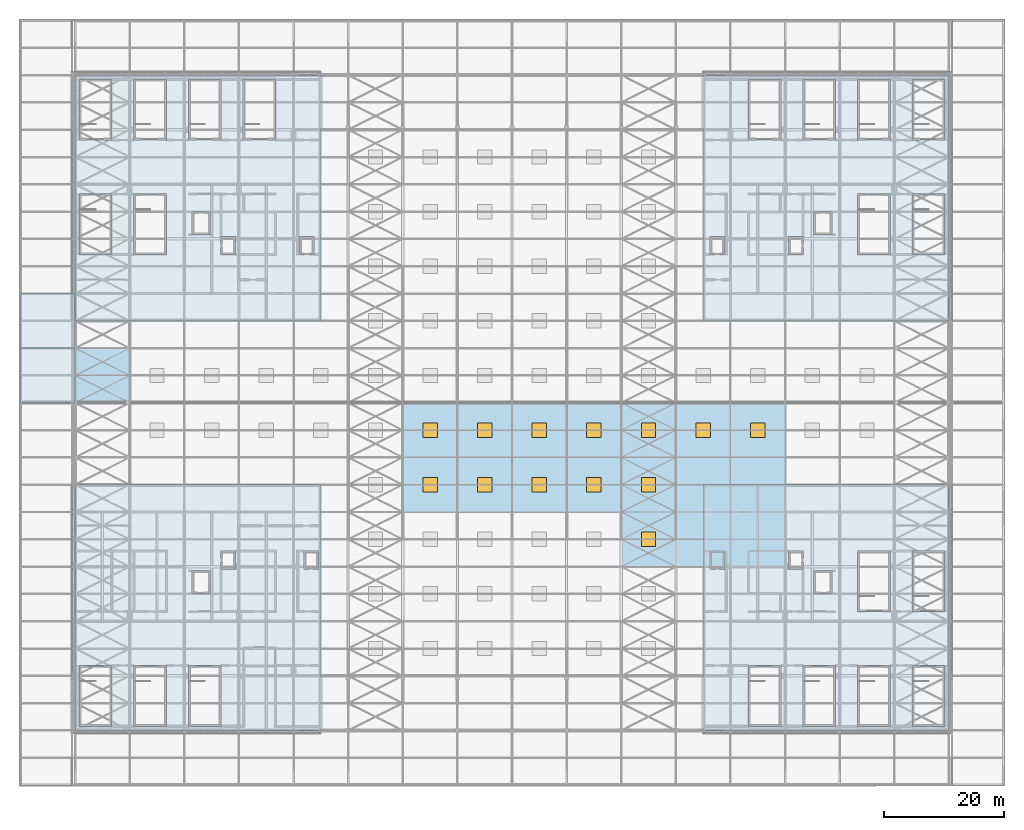
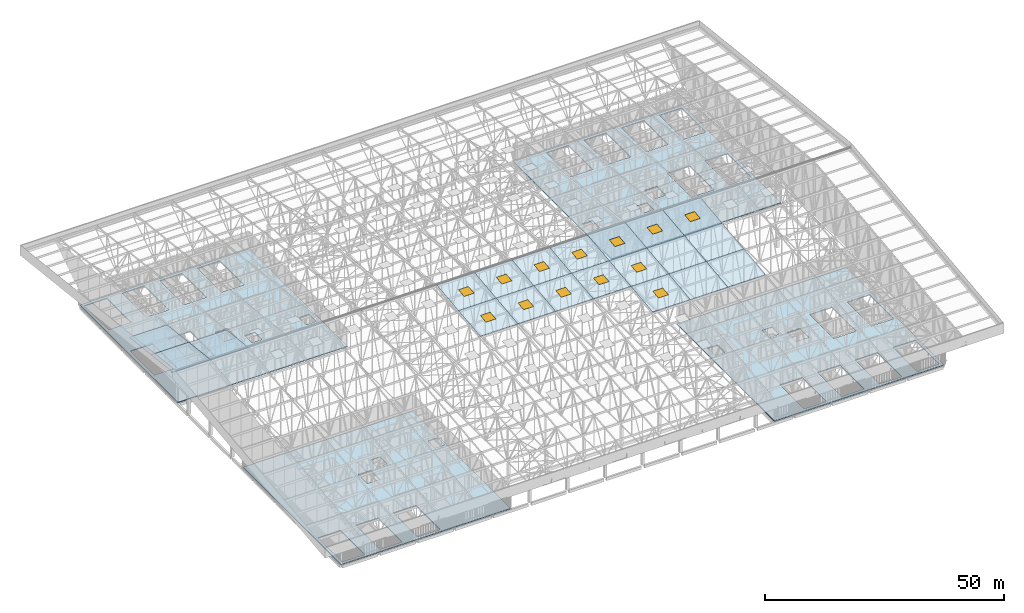
# One storey, part 419 of 500: 21 slabs, 13 windows, 13 openings.
"""IFC4 building model written with IfcOpenShell, lengths in metres."""

from ifc_helpers import new_model, si_unit, direction, frame, origin, origin_2d, place, context, subcontext, project, spatial, polyline, rectangle, outline, extrude, material, layer, layer_set, type_object, element, fill, save


model = new_model("IFC4")

# Units and contexts
model_context = context("Model", 3, precision=1e-05, world=origin(), true_north=direction((0.0, 1.0)))
body_context = subcontext(model_context, "Body", "Model", "MODEL_VIEW")
ifc_project = project(units=[si_unit("LENGTHUNIT", "METRE"), si_unit("AREAUNIT", "SQUARE_METRE"), si_unit("VOLUMEUNIT", "CUBIC_METRE"), si_unit("PLANEANGLEUNIT", "RADIAN"), si_unit("MASSUNIT", "GRAM", prefix="KILO")], contexts=[model_context])

# Site, building, storey
site_placement = place(None, origin())
site = spatial("IfcSite", under=ifc_project, at=site_placement, CompositionType="ELEMENT")
building_placement = place(site_placement, origin())
building = spatial("IfcBuilding", under=site, at=building_placement, Name="Shirokan Park Arena", CompositionType="ELEMENT")
storey_placement = place(building_placement, frame((0.0, 0.0, 29.1201171875)))
storey = spatial("IfcBuildingStorey", under=building, at=storey_placement, Name="L06", CompositionType="ELEMENT", Elevation=29.1201171875)

# Slabs
ifc_material_1 = material(Name="Concrete C35", Category="concrete")
ifc_layer_1 = layer(ifc_material_1, 0.199951171875)
ifc_layer_set_1 = layer_set([ifc_layer_1], Name="Concrete C35 200 mm")
slab_type_1 = type_object("IfcSlabType", Name="RC floor slab 200", PredefinedType="FLOOR", material=ifc_layer_set_1)
slab_1_placement = place(storey_placement, frame((0.0, 0.0, -0.2001953125)))
element("IfcSlab", 1, at=slab_1_placement, inside=storey, type_object=slab_type_1, Name="Floor slab L06", PredefinedType="FLOOR", context=body_context, shape_type="SweptSolid", body=[
    extrude(outline(polyline([(104.64990234375, 109.199951171875), (145.60009765625, 109.199951171875), (145.60009765625, 68.25), (136.5, 68.25), (104.64990234375, 68.25), (104.64990234375, 100.10009765625), (40.949951171875, 100.10009765625), (40.949951171875, 68.25), (9.10009765625, 68.25), (9.10009765625, 40.949951171875), (40.949951171875, 40.949951171875), (40.949951171875, 9.10009765625), (104.64990234375, 9.10009765625), (104.64990234375, 40.949951171875), (136.5, 40.949951171875), (145.60009765625, 40.949951171875), (145.60009765625, 0.0), (104.64990234375, 0.0), (104.64990234375, 9.10009765625), (40.949951171875, 9.10009765625), (40.949951171875, 0.0), (0.0, 0.0), (0.0, 40.949951171875), (9.10009765625, 40.949951171875), (9.10009765625, 68.25), (0.0, 68.25), (0.0, 109.199951171875), (40.949951171875, 109.199951171875), (40.949951171875, 100.10009765625), (104.64990234375, 100.10009765625), (104.64990234375, 109.199951171875)]), holes=[polyline([(6.10009765625, 0.699951171875), (6.10009765625, 10.800048828125), (0.699951171875, 10.800048828125), (0.699951171875, 0.699951171875), (6.10009765625, 0.699951171875)]), polyline([(15.199951171875, 0.699951171875), (15.199951171875, 10.800048828125), (9.800048828125, 10.800048828125), (9.800048828125, 0.699951171875), (15.199951171875, 0.699951171875)]), polyline([(24.300048828125, 0.699951171875), (24.300048828125, 10.800048828125), (18.89990234375, 10.800048828125), (18.89990234375, 0.699951171875), (24.300048828125, 0.699951171875)]), polyline([(22.5, 22.800048828125), (22.5, 26.60009765625), (19.5, 26.60009765625), (19.5, 22.800048828125), (22.5, 22.800048828125)]), polyline([(108.199951171875, 26.89990234375), (108.199951171875, 29.89990234375), (105.800048828125, 29.89990234375), (105.800048828125, 26.89990234375), (108.199951171875, 26.89990234375)]), polyline([(40.550048828125, 26.89990234375), (40.550048828125, 29.89990234375), (38.14990234375, 29.89990234375), (38.14990234375, 26.89990234375), (40.550048828125, 26.89990234375)]), polyline([(26.699951171875, 26.89990234375), (26.699951171875, 29.89990234375), (24.300048828125, 29.89990234375), (24.300048828125, 26.89990234375), (26.699951171875, 26.89990234375)]), polyline([(26.699951171875, 79.300048828125), (26.699951171875, 82.300048828125), (24.300048828125, 82.300048828125), (24.300048828125, 79.300048828125), (26.699951171875, 79.300048828125)]), polyline([(39.800048828125, 79.300048828125), (39.800048828125, 82.300048828125), (37.39990234375, 82.300048828125), (37.39990234375, 79.300048828125), (39.800048828125, 79.300048828125)]), polyline([(108.199951171875, 79.300048828125), (108.199951171875, 82.300048828125), (105.800048828125, 82.300048828125), (105.800048828125, 79.300048828125), (108.199951171875, 79.300048828125)]), polyline([(15.199951171875, 79.300048828125), (15.199951171875, 89.39990234375), (9.800048828125, 89.39990234375), (9.800048828125, 79.300048828125), (15.199951171875, 79.300048828125)]), polyline([(6.10009765625, 79.300048828125), (6.10009765625, 89.39990234375), (0.699951171875, 89.39990234375), (0.699951171875, 79.300048828125), (6.10009765625, 79.300048828125)]), polyline([(22.5, 82.60009765625), (22.5, 86.39990234375), (19.5, 86.39990234375), (19.5, 82.60009765625), (22.5, 82.60009765625)]), polyline([(15.199951171875, 98.39990234375), (15.199951171875, 108.5), (9.800048828125, 108.5), (9.800048828125, 98.39990234375), (15.199951171875, 98.39990234375)]), polyline([(24.300048828125, 98.39990234375), (24.300048828125, 108.5), (18.89990234375, 108.5), (18.89990234375, 98.39990234375), (24.300048828125, 98.39990234375)]), polyline([(33.39990234375, 98.39990234375), (33.39990234375, 108.5), (28.0, 108.5), (28.0, 98.39990234375), (33.39990234375, 98.39990234375)]), polyline([(6.10009765625, 98.39990234375), (6.10009765625, 108.5), (0.699951171875, 108.5), (0.699951171875, 98.39990234375), (6.10009765625, 98.39990234375)]), polyline([(117.60009765625, 0.699951171875), (117.60009765625, 10.800048828125), (112.199951171875, 10.800048828125), (112.199951171875, 0.699951171875), (117.60009765625, 0.699951171875)]), polyline([(126.699951171875, 0.699951171875), (126.699951171875, 10.800048828125), (121.300048828125, 10.800048828125), (121.300048828125, 0.699951171875), (126.699951171875, 0.699951171875)]), polyline([(135.800048828125, 0.699951171875), (135.800048828125, 10.800048828125), (130.39990234375, 10.800048828125), (130.39990234375, 0.699951171875), (135.800048828125, 0.699951171875)]), polyline([(144.89990234375, 0.699951171875), (144.89990234375, 10.800048828125), (139.5, 10.800048828125), (139.5, 0.699951171875), (144.89990234375, 0.699951171875)]), polyline([(126.10009765625, 22.800048828125), (126.10009765625, 26.60009765625), (123.10009765625, 26.60009765625), (123.10009765625, 22.800048828125), (126.10009765625, 22.800048828125)]), polyline([(135.800048828125, 19.800048828125), (135.800048828125, 29.89990234375), (130.39990234375, 29.89990234375), (130.39990234375, 19.800048828125), (135.800048828125, 19.800048828125)]), polyline([(144.89990234375, 19.800048828125), (144.89990234375, 29.89990234375), (139.5, 29.89990234375), (139.5, 19.800048828125), (144.89990234375, 19.800048828125)]), polyline([(121.300048828125, 26.89990234375), (121.300048828125, 29.89990234375), (118.89990234375, 29.89990234375), (118.89990234375, 26.89990234375), (121.300048828125, 26.89990234375)]), polyline([(121.300048828125, 79.300048828125), (121.300048828125, 82.300048828125), (118.89990234375, 82.300048828125), (118.89990234375, 79.300048828125), (121.300048828125, 79.300048828125)]), polyline([(135.800048828125, 79.300048828125), (135.800048828125, 89.39990234375), (130.39990234375, 89.39990234375), (130.39990234375, 79.300048828125), (135.800048828125, 79.300048828125)]), polyline([(144.89990234375, 79.300048828125), (144.89990234375, 89.39990234375), (139.5, 89.39990234375), (139.5, 79.300048828125), (144.89990234375, 79.300048828125)]), polyline([(126.10009765625, 82.60009765625), (126.10009765625, 86.39990234375), (123.10009765625, 86.39990234375), (123.10009765625, 82.60009765625), (126.10009765625, 82.60009765625)]), polyline([(117.60009765625, 98.39990234375), (117.60009765625, 108.5), (112.199951171875, 108.5), (112.199951171875, 98.39990234375), (117.60009765625, 98.39990234375)]), polyline([(126.699951171875, 98.39990234375), (126.699951171875, 108.5), (121.300048828125, 108.5), (121.300048828125, 98.39990234375), (126.699951171875, 98.39990234375)]), polyline([(130.39990234375, 98.39990234375), (135.800048828125, 98.39990234375), (135.800048828125, 108.5), (130.39990234375, 108.5), (130.39990234375, 98.39990234375)]), polyline([(139.5, 98.39990234375), (144.89990234375, 98.39990234375), (144.89990234375, 108.5), (139.5, 108.5), (139.5, 98.39990234375)])]), origin(), (0.0, 0.0, 1.0), 0.2001953125),
])
ifc_material_2 = material(Name="Concrete C30 precast", Category="concrete")
ifc_layer_2 = layer(ifc_material_2, 0.1201171875)
ifc_layer_set_2 = layer_set([ifc_layer_2], Name="Concrete C30 precast 120 mm")
slab_type_2 = type_object("IfcSlabType", Name="Roof deck panel 120", PredefinedType="ROOF", material=ifc_layer_set_2)
slab_2_placement = place(storey_placement, frame((-9.10009765625, 54.60009765625, 19.110595703125), z_axis=(0.0, 0.113552605302, 0.993531985308), x_axis=(1.0, 0.0, 0.0)))
element("IfcSlab", 2, at=slab_2_placement, inside=storey, type_object=slab_type_2, Name="Roof deck panel 1-8", PredefinedType="ROOF", context=body_context, shape_type="SweptSolid", body=[
    extrude(outline(polyline([(0.0, 0.0), (9.10009765625, 0.0), (9.10009765625, 9.159094674549367), (0.0, 9.159094674549367), (0.0, 0.0)])), origin(), (0.0, 0.0, -1.0), 0.1201171875),
])
slab_3_placement = place(storey_placement, frame((-9.10009765625, 63.699951171875, 18.070556640625), z_axis=(0.0, 0.113523286872, 0.993535335727), x_axis=(1.0, 0.0, 0.0)))
element("IfcSlab", 3, at=slab_3_placement, inside=storey, type_object=slab_type_2, Name="Roof deck panel 1-9", PredefinedType="ROOF", context=body_context, shape_type="SweptSolid", body=[
    extrude(outline(polyline([(0.0, 0.0), (9.10009765625, 0.0), (9.10009765625, 9.159309517253131), (0.0, 9.159309517253131), (0.0, 0.0)])), origin(), (0.0, 0.0, -1.0), 0.1201171875),
])
slab_4_placement = place(storey_placement, frame((0.0, 54.60009765625, 19.110595703125), z_axis=(0.0, 0.113552605302, 0.993531985308), x_axis=(1.0, 0.0, 0.0)))
element("IfcSlab", 4, at=slab_4_placement, inside=storey, type_object=slab_type_2, Name="Roof deck panel 2-8", PredefinedType="ROOF", context=body_context, shape_type="SweptSolid", body=[
    extrude(outline(polyline([(0.0, 0.0), (9.10009765625, 0.0), (9.10009765625, 9.159094674549367), (0.0, 9.159094674549367), (0.0, 0.0)])), origin(), (0.0, 0.0, -1.0), 0.1201171875),
])

# Slab, opening, window
slab_5_placement = place(storey_placement, frame((54.60009765625, 36.39990234375, 17.03076171875), z_axis=(0.0, -0.113523286872, 0.993535335727), x_axis=(1.0, 0.0, 0.0)))
slab_5 = element("IfcSlab", 5, at=slab_5_placement, inside=storey, type_object=slab_type_2, Name="Roof deck panel 8-6", PredefinedType="ROOF", context=body_context, shape_type="SweptSolid", body=[
    extrude(outline(polyline([(0.0, 0.0), (9.099853515625, 0.0), (9.099853515625, 9.159309517253131), (0.0, 9.159309517253131), (0.0, 0.0)]), holes=[polyline([(3.349853515625, 3.371898532875618), (5.75, 3.371898532875618), (5.75, 5.787410984377513), (3.349853515625, 5.787410984377513), (3.349853515625, 3.371898532875618)])]), origin(), (0.0, 0.0, -1.0), 0.1201171875),
])
opening_1_placement = place(slab_5_placement, frame((4.5498046875, 4.57958984375, 0.010009765625)))
opening_1 = element("IfcOpeningElement", 6, at=opening_1_placement, cuts=slab_5, Name="Opening RL1", PredefinedType="OPENING", context=body_context, shape_type="SweptSolid", body=[
    extrude(rectangle(XDim=2.39990234375, YDim=2.4155178557331727, at=origin_2d()), origin(), (0.0, 0.0, -1.0), 0.139892578125),
])
ifc_material_3 = material(Name="Aluminium frame with laminated glass", Category="aluminium")
window_type = type_object("IfcWindowType", Name="Roof light 2400x2400", PartitioningType="SINGLE_PANEL", PredefinedType="SKYLIGHT", material=ifc_material_3)
window_1_placement = place(opening_1_placement, frame((0.0, 0.0, -0.06005859375)))
window_1 = element("IfcWindow", 7, at=window_1_placement, inside=storey, type_object=window_type, Name="Roof light 08-06", OverallHeight=2.4155178557331727, OverallWidth=2.39990234375, PartitioningType="SINGLE_PANEL", PredefinedType="SKYLIGHT", context=body_context, shape_type="SweptSolid", body=[
    extrude(rectangle(XDim=2.39990234375, YDim=2.4155178557331727, at=origin_2d()), origin(), (0.0, 0.0, 1.0), 0.050048828125),
])
fill(opening_1, window_1)

slab_6_placement = place(storey_placement, frame((54.60009765625, 45.5, 18.070556640625), z_axis=(0.0, -0.113549598152, 0.993532328996), x_axis=(1.0, 0.0, 0.0)))
slab_6 = element("IfcSlab", 8, at=slab_6_placement, inside=storey, type_object=slab_type_2, Name="Roof deck panel 8-7", PredefinedType="ROOF", context=body_context, shape_type="SweptSolid", body=[
    extrude(outline(polyline([(0.0, 0.0), (9.099853515625, 0.0), (9.099853515625, 9.15933723611117), (0.0, 9.15933723611117), (0.0, 0.0)]), holes=[polyline([(3.349853515625, 3.3719262543893525), (5.75, 3.3719262543893525), (5.75, 5.787438703791679), (3.349853515625, 5.787438703791679), (3.349853515625, 3.3719262543893525)])]), origin(), (0.0, 0.0, -1.0), 0.1201171875),
])
opening_2_placement = place(slab_6_placement, frame((4.5498046875, 4.57958984375, 0.010009765625)))
opening_2 = element("IfcOpeningElement", 9, at=opening_2_placement, cuts=slab_6, Name="Opening RL1", PredefinedType="OPENING", context=body_context, shape_type="SweptSolid", body=[
    extrude(rectangle(XDim=2.39990234375, YDim=2.4155251658253154, at=origin_2d()), origin(), (0.0, 0.0, -1.0), 0.139892578125),
])
window_2_placement = place(opening_2_placement, frame((0.0, 0.0, -0.06005859375)))
window_2 = element("IfcWindow", 10, at=window_2_placement, inside=storey, type_object=window_type, Name="Roof light 08-07", OverallHeight=2.4155251658253154, OverallWidth=2.39990234375, PartitioningType="SINGLE_PANEL", PredefinedType="SKYLIGHT", context=body_context, shape_type="SweptSolid", body=[
    extrude(rectangle(XDim=2.39990234375, YDim=2.4155251658253154, at=origin_2d()), origin(), (0.0, 0.0, 1.0), 0.050048828125),
])
fill(opening_2, window_2)

slab_7_placement = place(storey_placement, frame((63.699951171875, 36.39990234375, 17.03076171875), z_axis=(0.0, -0.113523286872, 0.993535335727), x_axis=(1.0, 0.0, 0.0)))
slab_7 = element("IfcSlab", 11, at=slab_7_placement, inside=storey, type_object=slab_type_2, Name="Roof deck panel 9-6", PredefinedType="ROOF", context=body_context, shape_type="SweptSolid", body=[
    extrude(outline(polyline([(0.0, 0.0), (9.10009765625, 0.0), (9.10009765625, 9.159309517253131), (0.0, 9.159309517253131), (0.0, 0.0)]), holes=[polyline([(3.35009765625, 3.371898532875618), (5.75, 3.371898532875618), (5.75, 5.787410984377513), (3.35009765625, 5.787410984377513), (3.35009765625, 3.371898532875618)])]), origin(), (0.0, 0.0, -1.0), 0.1201171875),
])
opening_3_placement = place(slab_7_placement, frame((4.550048828125, 4.57958984375, 0.010009765625)))
opening_3 = element("IfcOpeningElement", 12, at=opening_3_placement, cuts=slab_7, Name="Opening RL1", PredefinedType="OPENING", context=body_context, shape_type="SweptSolid", body=[
    extrude(rectangle(XDim=2.39990234375, YDim=2.4155178557331727, at=origin_2d()), origin(), (0.0, 0.0, -1.0), 0.139892578125),
])
window_3_placement = place(opening_3_placement, frame((0.0, 0.0, -0.06005859375)))
window_3 = element("IfcWindow", 13, at=window_3_placement, inside=storey, type_object=window_type, Name="Roof light 09-06", OverallHeight=2.4155178557331727, OverallWidth=2.39990234375, PartitioningType="SINGLE_PANEL", PredefinedType="SKYLIGHT", context=body_context, shape_type="SweptSolid", body=[
    extrude(rectangle(XDim=2.39990234375, YDim=2.4155178557331727, at=origin_2d()), origin(), (0.0, 0.0, 1.0), 0.050048828125),
])
fill(opening_3, window_3)

slab_8_placement = place(storey_placement, frame((63.699951171875, 45.5, 18.070556640625), z_axis=(0.0, -0.113549598152, 0.993532328996), x_axis=(1.0, 0.0, 0.0)))
slab_8 = element("IfcSlab", 14, at=slab_8_placement, inside=storey, type_object=slab_type_2, Name="Roof deck panel 9-7", PredefinedType="ROOF", context=body_context, shape_type="SweptSolid", body=[
    extrude(outline(polyline([(0.0, 0.0), (9.10009765625, 0.0), (9.10009765625, 9.15933723611117), (0.0, 9.15933723611117), (0.0, 0.0)]), holes=[polyline([(3.35009765625, 3.371926254389353), (5.75, 3.371926254389353), (5.75, 5.78743870379168), (3.35009765625, 5.78743870379168), (3.35009765625, 3.371926254389353)])]), origin(), (0.0, 0.0, -1.0), 0.1201171875),
])
opening_4_placement = place(slab_8_placement, frame((4.550048828125, 4.57958984375, 0.010009765625)))
opening_4 = element("IfcOpeningElement", 15, at=opening_4_placement, cuts=slab_8, Name="Opening RL1", PredefinedType="OPENING", context=body_context, shape_type="SweptSolid", body=[
    extrude(rectangle(XDim=2.39990234375, YDim=2.4155251658253154, at=origin_2d()), origin(), (0.0, 0.0, -1.0), 0.139892578125),
])
window_4_placement = place(opening_4_placement, frame((0.0, 0.0, -0.06005859375)))
window_4 = element("IfcWindow", 16, at=window_4_placement, inside=storey, type_object=window_type, Name="Roof light 09-07", OverallHeight=2.4155251658253154, OverallWidth=2.39990234375, PartitioningType="SINGLE_PANEL", PredefinedType="SKYLIGHT", context=body_context, shape_type="SweptSolid", body=[
    extrude(rectangle(XDim=2.39990234375, YDim=2.4155251658253154, at=origin_2d()), origin(), (0.0, 0.0, 1.0), 0.050048828125),
])
fill(opening_4, window_4)

slab_9_placement = place(storey_placement, frame((72.800048828125, 36.39990234375, 17.03076171875), z_axis=(0.0, -0.113523286872, 0.993535335727), x_axis=(1.0, 0.0, 0.0)))
slab_9 = element("IfcSlab", 17, at=slab_9_placement, inside=storey, type_object=slab_type_2, Name="Roof deck panel 10-6", PredefinedType="ROOF", context=body_context, shape_type="SweptSolid", body=[
    extrude(outline(polyline([(0.0, 0.0), (9.099853515625, 0.0), (9.099853515625, 9.159309517253131), (0.0, 9.159309517253131), (0.0, 0.0)]), holes=[polyline([(3.349853515625, 3.371898532875618), (5.75, 3.371898532875618), (5.75, 5.787410984377513), (3.349853515625, 5.787410984377513), (3.349853515625, 3.371898532875618)])]), origin(), (0.0, 0.0, -1.0), 0.1201171875),
])
opening_5_placement = place(slab_9_placement, frame((4.550048828125, 4.57958984375, 0.010009765625)))
opening_5 = element("IfcOpeningElement", 18, at=opening_5_placement, cuts=slab_9, Name="Opening RL1", PredefinedType="OPENING", context=body_context, shape_type="SweptSolid", body=[
    extrude(rectangle(XDim=2.39990234375, YDim=2.4155178557331727, at=origin_2d()), origin(), (0.0, 0.0, -1.0), 0.139892578125),
])
window_5_placement = place(opening_5_placement, frame((0.0, 0.0, -0.06005859375)))
window_5 = element("IfcWindow", 19, at=window_5_placement, inside=storey, type_object=window_type, Name="Roof light 10-06", OverallHeight=2.4155178557331727, OverallWidth=2.39990234375, PartitioningType="SINGLE_PANEL", PredefinedType="SKYLIGHT", context=body_context, shape_type="SweptSolid", body=[
    extrude(rectangle(XDim=2.39990234375, YDim=2.4155178557331727, at=origin_2d()), origin(), (0.0, 0.0, 1.0), 0.050048828125),
])
fill(opening_5, window_5)

slab_10_placement = place(storey_placement, frame((72.800048828125, 45.5, 18.070556640625), z_axis=(0.0, -0.113549598152, 0.993532328996), x_axis=(1.0, 0.0, 0.0)))
slab_10 = element("IfcSlab", 20, at=slab_10_placement, inside=storey, type_object=slab_type_2, Name="Roof deck panel 10-7", PredefinedType="ROOF", context=body_context, shape_type="SweptSolid", body=[
    extrude(outline(polyline([(0.0, 0.0), (9.099853515625, 0.0), (9.099853515625, 9.15933723611117), (0.0, 9.15933723611117), (0.0, 0.0)]), holes=[polyline([(3.349853515625, 3.3719262543893525), (5.75, 3.3719262543893525), (5.75, 5.787438703791679), (3.349853515625, 5.787438703791679), (3.349853515625, 3.3719262543893525)])]), origin(), (0.0, 0.0, -1.0), 0.1201171875),
])
opening_6_placement = place(slab_10_placement, frame((4.550048828125, 4.57958984375, 0.010009765625)))
opening_6 = element("IfcOpeningElement", 21, at=opening_6_placement, cuts=slab_10, Name="Opening RL1", PredefinedType="OPENING", context=body_context, shape_type="SweptSolid", body=[
    extrude(rectangle(XDim=2.39990234375, YDim=2.4155251658253154, at=origin_2d()), origin(), (0.0, 0.0, -1.0), 0.139892578125),
])
window_6_placement = place(opening_6_placement, frame((0.0, 0.0, -0.06005859375)))
window_6 = element("IfcWindow", 22, at=window_6_placement, inside=storey, type_object=window_type, Name="Roof light 10-07", OverallHeight=2.4155251658253154, OverallWidth=2.39990234375, PartitioningType="SINGLE_PANEL", PredefinedType="SKYLIGHT", context=body_context, shape_type="SweptSolid", body=[
    extrude(rectangle(XDim=2.39990234375, YDim=2.4155251658253154, at=origin_2d()), origin(), (0.0, 0.0, 1.0), 0.050048828125),
])
fill(opening_6, window_6)

slab_11_placement = place(storey_placement, frame((81.89990234375, 36.39990234375, 17.03076171875), z_axis=(0.0, -0.113523286872, 0.993535335727), x_axis=(1.0, 0.0, 0.0)))
slab_11 = element("IfcSlab", 23, at=slab_11_placement, inside=storey, type_object=slab_type_2, Name="Roof deck panel 11-6", PredefinedType="ROOF", context=body_context, shape_type="SweptSolid", body=[
    extrude(outline(polyline([(0.0, 0.0), (9.10009765625, 0.0), (9.10009765625, 9.159309517253131), (0.0, 9.159309517253131), (0.0, 0.0)]), holes=[polyline([(3.35009765625, 3.371898532875618), (5.75, 3.371898532875618), (5.75, 5.787410984377513), (3.35009765625, 5.787410984377513), (3.35009765625, 3.371898532875618)])]), origin(), (0.0, 0.0, -1.0), 0.1201171875),
])
opening_7_placement = place(slab_11_placement, frame((4.550048828125, 4.57958984375, 0.010009765625)))
opening_7 = element("IfcOpeningElement", 24, at=opening_7_placement, cuts=slab_11, Name="Opening RL1", PredefinedType="OPENING", context=body_context, shape_type="SweptSolid", body=[
    extrude(rectangle(XDim=2.39990234375, YDim=2.4155178557331727, at=origin_2d()), origin(), (0.0, 0.0, -1.0), 0.139892578125),
])
window_7_placement = place(opening_7_placement, frame((0.0, 0.0, -0.06005859375)))
window_7 = element("IfcWindow", 25, at=window_7_placement, inside=storey, type_object=window_type, Name="Roof light 11-06", OverallHeight=2.4155178557331727, OverallWidth=2.39990234375, PartitioningType="SINGLE_PANEL", PredefinedType="SKYLIGHT", context=body_context, shape_type="SweptSolid", body=[
    extrude(rectangle(XDim=2.39990234375, YDim=2.4155178557331727, at=origin_2d()), origin(), (0.0, 0.0, 1.0), 0.050048828125),
])
fill(opening_7, window_7)

slab_12_placement = place(storey_placement, frame((81.89990234375, 45.5, 18.070556640625), z_axis=(0.0, -0.113549598152, 0.993532328996), x_axis=(1.0, 0.0, 0.0)))
slab_12 = element("IfcSlab", 26, at=slab_12_placement, inside=storey, type_object=slab_type_2, Name="Roof deck panel 11-7", PredefinedType="ROOF", context=body_context, shape_type="SweptSolid", body=[
    extrude(outline(polyline([(0.0, 0.0), (9.10009765625, 0.0), (9.10009765625, 9.15933723611117), (0.0, 9.15933723611117), (0.0, 0.0)]), holes=[polyline([(3.35009765625, 3.371926254389353), (5.75, 3.371926254389353), (5.75, 5.78743870379168), (3.35009765625, 5.78743870379168), (3.35009765625, 3.371926254389353)])]), origin(), (0.0, 0.0, -1.0), 0.1201171875),
])
opening_8_placement = place(slab_12_placement, frame((4.550048828125, 4.57958984375, 0.010009765625)))
opening_8 = element("IfcOpeningElement", 27, at=opening_8_placement, cuts=slab_12, Name="Opening RL1", PredefinedType="OPENING", context=body_context, shape_type="SweptSolid", body=[
    extrude(rectangle(XDim=2.39990234375, YDim=2.4155251658253154, at=origin_2d()), origin(), (0.0, 0.0, -1.0), 0.139892578125),
])
window_8_placement = place(opening_8_placement, frame((0.0, 0.0, -0.06005859375)))
window_8 = element("IfcWindow", 28, at=window_8_placement, inside=storey, type_object=window_type, Name="Roof light 11-07", OverallHeight=2.4155251658253154, OverallWidth=2.39990234375, PartitioningType="SINGLE_PANEL", PredefinedType="SKYLIGHT", context=body_context, shape_type="SweptSolid", body=[
    extrude(rectangle(XDim=2.39990234375, YDim=2.4155251658253154, at=origin_2d()), origin(), (0.0, 0.0, 1.0), 0.050048828125),
])
fill(opening_8, window_8)

slab_13_placement = place(storey_placement, frame((91.0, 27.300048828125, 15.99072265625), z_axis=(0.0, -0.113552605302, 0.993531985308), x_axis=(1.0, 0.0, 0.0)))
slab_13 = element("IfcSlab", 29, at=slab_13_placement, inside=storey, type_object=slab_type_2, Name="Roof deck panel 12-5", PredefinedType="ROOF", context=body_context, shape_type="SweptSolid", body=[
    extrude(outline(polyline([(0.0, 0.0), (9.10009765625, 0.0), (9.10009765625, 9.159094674549367), (0.0, 9.159094674549367), (0.0, 0.0)]), holes=[polyline([(3.35009765625, 3.3716559705854974), (5.75, 3.3716559705854974), (5.75, 5.78741098115984), (3.35009765625, 5.78741098115984), (3.35009765625, 3.3716559705854974)])]), origin(), (0.0, 0.0, -1.0), 0.1201171875),
])
opening_9_placement = place(slab_13_placement, frame((4.550048828125, 4.57958984375, 0.010009765625)))
opening_9 = element("IfcOpeningElement", 30, at=opening_9_placement, cuts=slab_13, Name="Opening RL1", PredefinedType="OPENING", context=body_context, shape_type="SweptSolid", body=[
    extrude(rectangle(XDim=2.39990234375, YDim=2.4155260014171187, at=origin_2d()), origin(), (0.0, 0.0, -1.0), 0.139892578125),
])
window_9_placement = place(opening_9_placement, frame((0.0, 0.0, -0.06005859375)))
window_9 = element("IfcWindow", 31, at=window_9_placement, inside=storey, type_object=window_type, Name="Roof light 12-05", OverallHeight=2.4155260014171187, OverallWidth=2.39990234375, PartitioningType="SINGLE_PANEL", PredefinedType="SKYLIGHT", context=body_context, shape_type="SweptSolid", body=[
    extrude(rectangle(XDim=2.39990234375, YDim=2.4155260014171187, at=origin_2d()), origin(), (0.0, 0.0, 1.0), 0.050048828125),
])
fill(opening_9, window_9)

slab_14_placement = place(storey_placement, frame((91.0, 36.39990234375, 17.03076171875), z_axis=(0.0, -0.113523286872, 0.993535335727), x_axis=(1.0, 0.0, 0.0)))
slab_14 = element("IfcSlab", 32, at=slab_14_placement, inside=storey, type_object=slab_type_2, Name="Roof deck panel 12-6", PredefinedType="ROOF", context=body_context, shape_type="SweptSolid", body=[
    extrude(outline(polyline([(0.0, 0.0), (9.10009765625, 0.0), (9.10009765625, 9.159309517253131), (0.0, 9.159309517253131), (0.0, 0.0)]), holes=[polyline([(3.35009765625, 3.371898532875618), (5.75, 3.371898532875618), (5.75, 5.787410984377513), (3.35009765625, 5.787410984377513), (3.35009765625, 3.371898532875618)])]), origin(), (0.0, 0.0, -1.0), 0.1201171875),
])
opening_10_placement = place(slab_14_placement, frame((4.550048828125, 4.57958984375, 0.010009765625)))
opening_10 = element("IfcOpeningElement", 33, at=opening_10_placement, cuts=slab_14, Name="Opening RL1", PredefinedType="OPENING", context=body_context, shape_type="SweptSolid", body=[
    extrude(rectangle(XDim=2.39990234375, YDim=2.4155178557331727, at=origin_2d()), origin(), (0.0, 0.0, -1.0), 0.139892578125),
])
window_10_placement = place(opening_10_placement, frame((0.0, 0.0, -0.06005859375)))
window_10 = element("IfcWindow", 34, at=window_10_placement, inside=storey, type_object=window_type, Name="Roof light 12-06", OverallHeight=2.4155178557331727, OverallWidth=2.39990234375, PartitioningType="SINGLE_PANEL", PredefinedType="SKYLIGHT", context=body_context, shape_type="SweptSolid", body=[
    extrude(rectangle(XDim=2.39990234375, YDim=2.4155178557331727, at=origin_2d()), origin(), (0.0, 0.0, 1.0), 0.050048828125),
])
fill(opening_10, window_10)

slab_15_placement = place(storey_placement, frame((91.0, 45.5, 18.070556640625), z_axis=(0.0, -0.113549598152, 0.993532328996), x_axis=(1.0, 0.0, 0.0)))
slab_15 = element("IfcSlab", 35, at=slab_15_placement, inside=storey, type_object=slab_type_2, Name="Roof deck panel 12-7", PredefinedType="ROOF", context=body_context, shape_type="SweptSolid", body=[
    extrude(outline(polyline([(0.0, 0.0), (9.10009765625, 0.0), (9.10009765625, 9.15933723611117), (0.0, 9.15933723611117), (0.0, 0.0)]), holes=[polyline([(3.35009765625, 3.371926254389353), (5.75, 3.371926254389353), (5.75, 5.78743870379168), (3.35009765625, 5.78743870379168), (3.35009765625, 3.371926254389353)])]), origin(), (0.0, 0.0, -1.0), 0.1201171875),
])
opening_11_placement = place(slab_15_placement, frame((4.550048828125, 4.57958984375, 0.010009765625)))
opening_11 = element("IfcOpeningElement", 36, at=opening_11_placement, cuts=slab_15, Name="Opening RL1", PredefinedType="OPENING", context=body_context, shape_type="SweptSolid", body=[
    extrude(rectangle(XDim=2.39990234375, YDim=2.4155251658253154, at=origin_2d()), origin(), (0.0, 0.0, -1.0), 0.139892578125),
])
window_11_placement = place(opening_11_placement, frame((0.0, 0.0, -0.06005859375)))
window_11 = element("IfcWindow", 37, at=window_11_placement, inside=storey, type_object=window_type, Name="Roof light 12-07", OverallHeight=2.4155251658253154, OverallWidth=2.39990234375, PartitioningType="SINGLE_PANEL", PredefinedType="SKYLIGHT", context=body_context, shape_type="SweptSolid", body=[
    extrude(rectangle(XDim=2.39990234375, YDim=2.4155251658253154, at=origin_2d()), origin(), (0.0, 0.0, 1.0), 0.050048828125),
])
fill(opening_11, window_11)

# Slabs
slab_16_placement = place(storey_placement, frame((100.10009765625, 27.300048828125, 15.99072265625), z_axis=(0.0, -0.113552605302, 0.993531985308), x_axis=(1.0, 0.0, 0.0)))
element("IfcSlab", 38, at=slab_16_placement, inside=storey, type_object=slab_type_2, Name="Roof deck panel 13-5", PredefinedType="ROOF", context=body_context, shape_type="SweptSolid", body=[
    extrude(outline(polyline([(0.0, 0.0), (9.099853515625, 0.0), (9.099853515625, 9.159094674549365), (0.0, 9.159094674549365), (0.0, 0.0)])), origin(), (0.0, 0.0, -1.0), 0.1201171875),
])
slab_17_placement = place(storey_placement, frame((100.10009765625, 36.39990234375, 17.03076171875), z_axis=(0.0, -0.113523286872, 0.993535335727), x_axis=(1.0, 0.0, 0.0)))
element("IfcSlab", 39, at=slab_17_placement, inside=storey, type_object=slab_type_2, Name="Roof deck panel 13-6", PredefinedType="ROOF", context=body_context, shape_type="SweptSolid", body=[
    extrude(outline(polyline([(0.0, 0.0), (9.099853515625, 0.0), (9.099853515625, 9.159309517253131), (0.0, 9.159309517253131), (0.0, 0.0)])), origin(), (0.0, 0.0, -1.0), 0.1201171875),
])

# Slab, opening, window
slab_18_placement = place(storey_placement, frame((100.10009765625, 45.5, 18.070556640625), z_axis=(0.0, -0.113549598152, 0.993532328996), x_axis=(1.0, 0.0, 0.0)))
slab_18 = element("IfcSlab", 40, at=slab_18_placement, inside=storey, type_object=slab_type_2, Name="Roof deck panel 13-7", PredefinedType="ROOF", context=body_context, shape_type="SweptSolid", body=[
    extrude(outline(polyline([(0.0, 0.0), (9.099853515625, 0.0), (9.099853515625, 9.15933723611117), (0.0, 9.15933723611117), (0.0, 0.0)]), holes=[polyline([(3.349853515625, 3.3719262543893525), (5.75, 3.3719262543893525), (5.75, 5.787438703791679), (3.349853515625, 5.787438703791679), (3.349853515625, 3.3719262543893525)])]), origin(), (0.0, 0.0, -1.0), 0.1201171875),
])
opening_12_placement = place(slab_18_placement, frame((4.5498046875, 4.57958984375, 0.010009765625)))
opening_12 = element("IfcOpeningElement", 41, at=opening_12_placement, cuts=slab_18, Name="Opening RL1", PredefinedType="OPENING", context=body_context, shape_type="SweptSolid", body=[
    extrude(rectangle(XDim=2.39990234375, YDim=2.4155251658253154, at=origin_2d()), origin(), (0.0, 0.0, -1.0), 0.139892578125),
])
window_12_placement = place(opening_12_placement, frame((0.0, 0.0, -0.06005859375)))
window_12 = element("IfcWindow", 42, at=window_12_placement, inside=storey, type_object=window_type, Name="Roof light 13-07", OverallHeight=2.4155251658253154, OverallWidth=2.39990234375, PartitioningType="SINGLE_PANEL", PredefinedType="SKYLIGHT", context=body_context, shape_type="SweptSolid", body=[
    extrude(rectangle(XDim=2.39990234375, YDim=2.4155251658253154, at=origin_2d()), origin(), (0.0, 0.0, 1.0), 0.050048828125),
])
fill(opening_12, window_12)

# Slabs
slab_19_placement = place(storey_placement, frame((109.199951171875, 27.300048828125, 15.99072265625), z_axis=(0.0, -0.113552605302, 0.993531985308), x_axis=(1.0, 0.0, 0.0)))
element("IfcSlab", 43, at=slab_19_placement, inside=storey, type_object=slab_type_2, Name="Roof deck panel 14-5", PredefinedType="ROOF", context=body_context, shape_type="SweptSolid", body=[
    extrude(outline(polyline([(0.0, 0.0), (9.10009765625, 0.0), (9.10009765625, 9.159094674549367), (0.0, 9.159094674549367), (0.0, 0.0)])), origin(), (0.0, 0.0, -1.0), 0.1201171875),
])
slab_20_placement = place(storey_placement, frame((109.199951171875, 36.39990234375, 17.03076171875), z_axis=(0.0, -0.113523286872, 0.993535335727), x_axis=(1.0, 0.0, 0.0)))
element("IfcSlab", 44, at=slab_20_placement, inside=storey, type_object=slab_type_2, Name="Roof deck panel 14-6", PredefinedType="ROOF", context=body_context, shape_type="SweptSolid", body=[
    extrude(outline(polyline([(0.0, 0.0), (9.10009765625, 0.0), (9.10009765625, 9.159309517253131), (0.0, 9.159309517253131), (0.0, 0.0)])), origin(), (0.0, 0.0, -1.0), 0.1201171875),
])

# Slab, opening, window
slab_21_placement = place(storey_placement, frame((109.199951171875, 45.5, 18.070556640625), z_axis=(0.0, -0.113549598152, 0.993532328996), x_axis=(1.0, 0.0, 0.0)))
slab_21 = element("IfcSlab", 45, at=slab_21_placement, inside=storey, type_object=slab_type_2, Name="Roof deck panel 14-7", PredefinedType="ROOF", context=body_context, shape_type="SweptSolid", body=[
    extrude(outline(polyline([(0.0, 0.0), (9.10009765625, 0.0), (9.10009765625, 9.15933723611117), (0.0, 9.15933723611117), (0.0, 0.0)]), holes=[polyline([(3.35009765625, 3.371926254389353), (5.75, 3.371926254389353), (5.75, 5.78743870379168), (3.35009765625, 5.78743870379168), (3.35009765625, 3.371926254389353)])]), origin(), (0.0, 0.0, -1.0), 0.1201171875),
])
opening_13_placement = place(slab_21_placement, frame((4.550048828125, 4.57958984375, 0.010009765625)))
opening_13 = element("IfcOpeningElement", 46, at=opening_13_placement, cuts=slab_21, Name="Opening RL1", PredefinedType="OPENING", context=body_context, shape_type="SweptSolid", body=[
    extrude(rectangle(XDim=2.39990234375, YDim=2.4155251658253154, at=origin_2d()), origin(), (0.0, 0.0, -1.0), 0.139892578125),
])
window_13_placement = place(opening_13_placement, frame((0.0, 0.0, -0.06005859375)))
window_13 = element("IfcWindow", 47, at=window_13_placement, inside=storey, type_object=window_type, Name="Roof light 14-07", OverallHeight=2.4155251658253154, OverallWidth=2.39990234375, PartitioningType="SINGLE_PANEL", PredefinedType="SKYLIGHT", context=body_context, shape_type="SweptSolid", body=[
    extrude(rectangle(XDim=2.39990234375, YDim=2.4155251658253154, at=origin_2d()), origin(), (0.0, 0.0, 1.0), 0.050048828125),
])
fill(opening_13, window_13)

save(model, "model.ifc")
